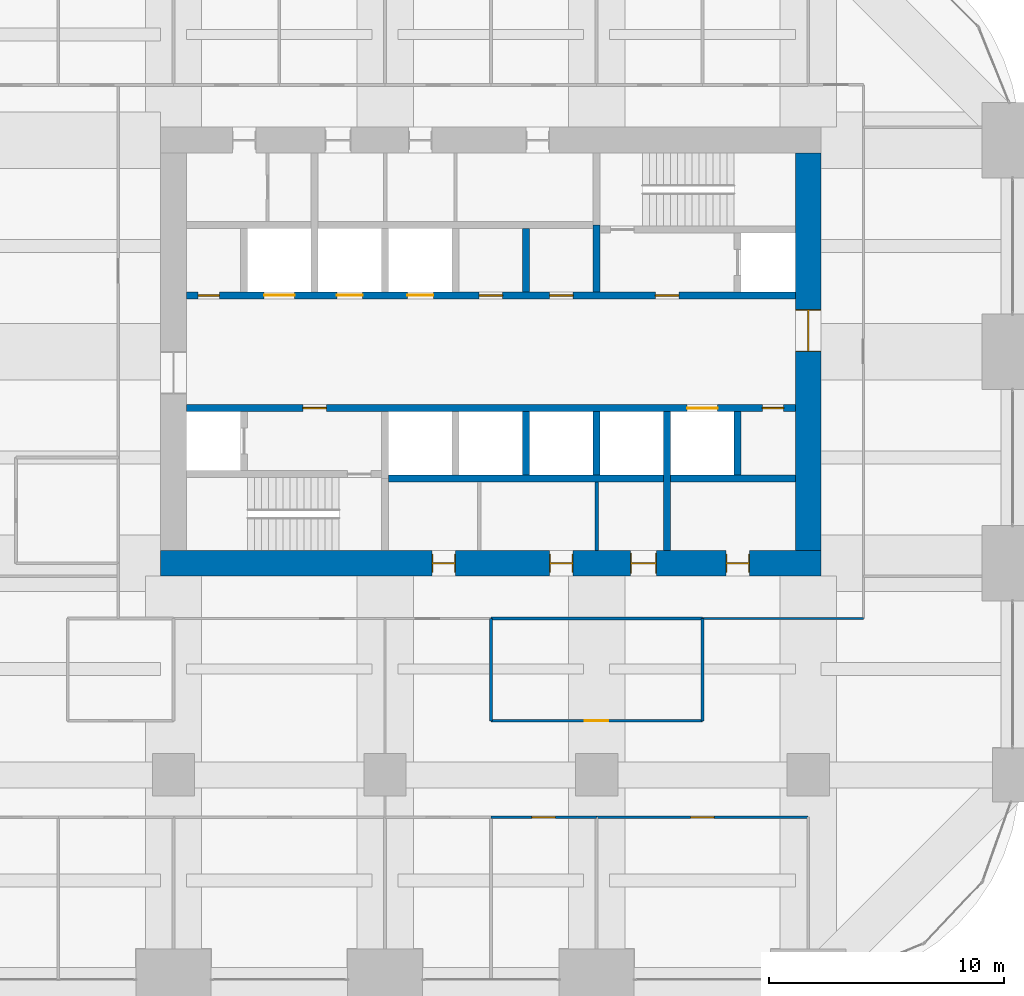
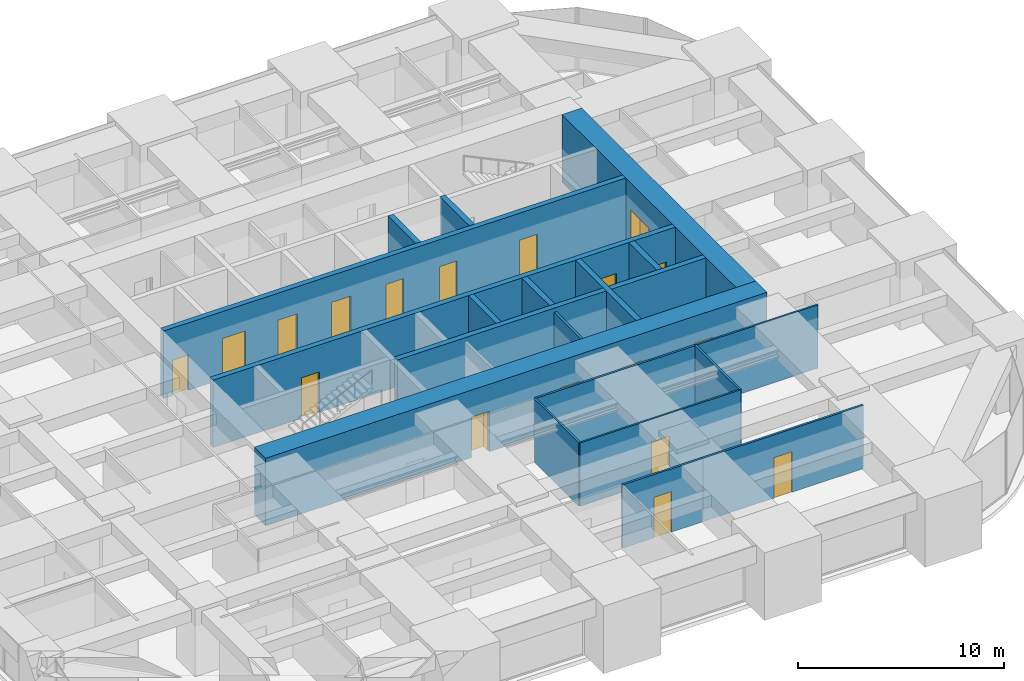
# One storey, part 32 of 36: 19 walls, 18 doors, 18 openings.
"""IFC4 building model written with IfcOpenShell, lengths in metres."""

from ifc_helpers import new_model, si_unit, direction, frame, frame_2d, origin, place, context, subcontext, project, spatial, rectangle, extrude, material, layer, layer_set, type_object, element, fill, save


model = new_model("IFC4")

# Units and contexts
model_context = context("Model", 3, precision=1e-05, world=origin(), true_north=direction((0.0, 1.0)))
body_context = subcontext(model_context, "Body", "Model", "MODEL_VIEW")
ifc_project = project(units=[si_unit("LENGTHUNIT", "METRE"), si_unit("AREAUNIT", "SQUARE_METRE"), si_unit("VOLUMEUNIT", "CUBIC_METRE"), si_unit("PLANEANGLEUNIT", "RADIAN"), si_unit("MASSUNIT", "GRAM", prefix="KILO")], contexts=[model_context])

# Site, building, storey
site_placement = place(None, origin())
site = spatial("IfcSite", under=ifc_project, at=site_placement, CompositionType="ELEMENT")
building_placement = place(site_placement, origin())
building = spatial("IfcBuilding", under=site, at=building_placement, Name="Zorevar Civic Tower", CompositionType="ELEMENT")
storey_placement = place(building_placement, frame((0.0, 0.0, 166.199951171875)))
storey = spatial("IfcBuildingStorey", under=building, at=storey_placement, Name="L40", CompositionType="ELEMENT", Elevation=166.199951171875)

# Wall, openings, doors
ifc_material_1 = material(Name="Concrete C50/60", Category="concrete")
ifc_layer_1 = layer(ifc_material_1, 1.10009765625)
ifc_layer_set_1 = layer_set([ifc_layer_1], Name="Core wall 1100")
wall_type_1 = type_object("IfcWallType", Name="Core wall 1100", PredefinedType="SHEAR", material=ifc_layer_set_1)
wall_1_placement = place(storey_placement, frame((17.449951171875, 18.0, 0.0), z_axis=(0.0, 0.0, 1.0), x_axis=(1.0, 0.0, 0.0)))
wall_1 = element("IfcWall", 1, at=wall_1_placement, inside=storey, type_object=wall_type_1, Name="Core wall S L40", PredefinedType="SHEAR", context=body_context, shape_type="SweptSolid", body=[
    extrude(rectangle(XDim=28.10009765625, YDim=1.10009765625, at=frame_2d((14.050048828125, 0.0))), origin(), (0.0, 0.0, 1.0), 4.0),
])
opening_1_placement = place(wall_1_placement, frame((11.550048828125, 0.0, 0.0)))
opening_1 = element("IfcOpeningElement", 2, at=opening_1_placement, cuts=wall_1, Name="Opening L40.03", PredefinedType="OPENING", context=body_context, shape_type="SweptSolid", body=[
    extrude(rectangle(XDim=1.0, YDim=2.39990234375, at=frame_2d((0.5, 1.199951171875))), frame((0.0, 0.56005859375, 0.0), z_axis=(0.0, -1.0, 0.0), x_axis=(1.0, 0.0, 0.0)), (0.0, 0.0, 1.0), 1.1201171875),
])
opening_2_placement = place(wall_1_placement, frame((16.550048828125, 0.0, 0.0)))
opening_2 = element("IfcOpeningElement", 3, at=opening_2_placement, cuts=wall_1, Name="Opening L40.04", PredefinedType="OPENING", context=body_context, shape_type="SweptSolid", body=[
    extrude(rectangle(XDim=1.0, YDim=2.39990234375, at=frame_2d((0.5, 1.199951171875))), frame((0.0, 0.56005859375, 0.0), z_axis=(0.0, -1.0, 0.0), x_axis=(1.0, 0.0, 0.0)), (0.0, 0.0, 1.0), 1.1201171875),
])
opening_3_placement = place(wall_1_placement, frame((20.0, 0.0, 0.0)))
opening_3 = element("IfcOpeningElement", 4, at=opening_3_placement, cuts=wall_1, Name="Opening L40.05", PredefinedType="OPENING", context=body_context, shape_type="SweptSolid", body=[
    extrude(rectangle(XDim=1.10009765625, YDim=2.39990234375, at=frame_2d((0.550048828125, 1.199951171875))), frame((0.0, 0.56005859375, 0.0), z_axis=(0.0, -1.0, 0.0), x_axis=(1.0, 0.0, 0.0)), (0.0, 0.0, 1.0), 1.1201171875),
])
opening_4_placement = place(wall_1_placement, frame((24.050048828125, 0.0, 0.0)))
opening_4 = element("IfcOpeningElement", 5, at=opening_4_placement, cuts=wall_1, Name="Opening L40.06", PredefinedType="OPENING", context=body_context, shape_type="SweptSolid", body=[
    extrude(rectangle(XDim=1.0, YDim=2.39990234375, at=frame_2d((0.5, 1.199951171875))), frame((0.0, 0.56005859375, 0.0), z_axis=(0.0, -1.0, 0.0), x_axis=(1.0, 0.0, 0.0)), (0.0, 0.0, 1.0), 1.1201171875),
])
ifc_material_2 = material(Name="Timber door set", Category="wood")
door_type_1 = type_object("IfcDoorType", Name="Door D1 1000x2400", OperationType="SINGLE_SWING_LEFT", PredefinedType="DOOR", material=ifc_material_2)
door_1_placement = place(opening_1_placement, origin())
door_1 = element("IfcDoor", 6, at=door_1_placement, inside=storey, type_object=door_type_1, Name="Door L40 02", OperationType="SINGLE_SWING_RIGHT", OverallHeight=2.39990234375, OverallWidth=1.0, PredefinedType="DOOR", context=body_context, shape_type="SweptSolid", body=[
    extrude(rectangle(XDim=1.0, YDim=2.39990234375, at=frame_2d((0.5, 1.199951171875))), frame((0.0, 0.02490234375, 0.0), z_axis=(0.0, -1.0, 0.0), x_axis=(1.0, 0.0, 0.0)), (0.0, 0.0, 1.0), 0.050048828125),
    extrude(rectangle(XDim=0.04, YDim=2.39990234375, at=frame_2d((0.02001953125, 1.199951171875))), frame((0.0, 0.39990234375, 0.0), z_axis=(0.0, -1.0, 0.0), x_axis=(1.0, 0.0, 0.0)), (0.0, 0.0, 1.0), 0.800048828125),
    extrude(rectangle(XDim=0.04, YDim=2.39990234375, at=frame_2d((0.97998046875, 1.199951171875))), frame((0.0, 0.39990234375, 0.0), z_axis=(0.0, -1.0, 0.0), x_axis=(1.0, 0.0, 0.0)), (0.0, 0.0, 1.0), 0.800048828125),
    extrude(rectangle(XDim=1.0, YDim=0.04, at=frame_2d((0.5, 2.3798828125))), frame((0.0, 0.39990234375, 0.0), z_axis=(0.0, -1.0, 0.0), x_axis=(1.0, 0.0, 0.0)), (0.0, 0.0, 1.0), 0.800048828125),
])
fill(opening_1, door_1)
door_2_placement = place(opening_2_placement, origin())
door_2 = element("IfcDoor", 7, at=door_2_placement, inside=storey, type_object=door_type_1, Name="Door L40 03", OperationType="SINGLE_SWING_LEFT", OverallHeight=2.39990234375, OverallWidth=1.0, PredefinedType="DOOR", context=body_context, shape_type="SweptSolid", body=[
    extrude(rectangle(XDim=1.0, YDim=2.39990234375, at=frame_2d((0.5, 1.199951171875))), frame((0.0, 0.02490234375, 0.0), z_axis=(0.0, -1.0, 0.0), x_axis=(1.0, 0.0, 0.0)), (0.0, 0.0, 1.0), 0.050048828125),
    extrude(rectangle(XDim=0.04, YDim=2.39990234375, at=frame_2d((0.02001953125, 1.199951171875))), frame((0.0, 0.39990234375, 0.0), z_axis=(0.0, -1.0, 0.0), x_axis=(1.0, 0.0, 0.0)), (0.0, 0.0, 1.0), 0.800048828125),
    extrude(rectangle(XDim=0.04, YDim=2.39990234375, at=frame_2d((0.97998046875, 1.199951171875))), frame((0.0, 0.39990234375, 0.0), z_axis=(0.0, -1.0, 0.0), x_axis=(1.0, 0.0, 0.0)), (0.0, 0.0, 1.0), 0.800048828125),
    extrude(rectangle(XDim=1.0, YDim=0.04, at=frame_2d((0.5, 2.3798828125))), frame((0.0, 0.39990234375, 0.0), z_axis=(0.0, -1.0, 0.0), x_axis=(1.0, 0.0, 0.0)), (0.0, 0.0, 1.0), 0.800048828125),
])
fill(opening_2, door_2)
door_3_placement = place(opening_4_placement, origin())
door_3 = element("IfcDoor", 8, at=door_3_placement, inside=storey, type_object=door_type_1, Name="Door L40 05", OperationType="SINGLE_SWING_LEFT", OverallHeight=2.39990234375, OverallWidth=1.0, PredefinedType="DOOR", context=body_context, shape_type="SweptSolid", body=[
    extrude(rectangle(XDim=1.0, YDim=2.39990234375, at=frame_2d((0.5, 1.199951171875))), frame((0.0, 0.02490234375, 0.0), z_axis=(0.0, -1.0, 0.0), x_axis=(1.0, 0.0, 0.0)), (0.0, 0.0, 1.0), 0.050048828125),
    extrude(rectangle(XDim=0.04, YDim=2.39990234375, at=frame_2d((0.02001953125, 1.199951171875))), frame((0.0, 0.39990234375, 0.0), z_axis=(0.0, -1.0, 0.0), x_axis=(1.0, 0.0, 0.0)), (0.0, 0.0, 1.0), 0.800048828125),
    extrude(rectangle(XDim=0.04, YDim=2.39990234375, at=frame_2d((0.97998046875, 1.199951171875))), frame((0.0, 0.39990234375, 0.0), z_axis=(0.0, -1.0, 0.0), x_axis=(1.0, 0.0, 0.0)), (0.0, 0.0, 1.0), 0.800048828125),
    extrude(rectangle(XDim=1.0, YDim=0.04, at=frame_2d((0.5, 2.3798828125))), frame((0.0, 0.39990234375, 0.0), z_axis=(0.0, -1.0, 0.0), x_axis=(1.0, 0.0, 0.0)), (0.0, 0.0, 1.0), 0.800048828125),
])
fill(opening_4, door_3)
ifc_material_3 = material(Name="Timber door set", Category="wood")
door_type_2 = type_object("IfcDoorType", Name="Door D5 1100x2400", OperationType="SINGLE_SWING_LEFT", PredefinedType="DOOR", material=ifc_material_3)
door_4_placement = place(opening_3_placement, origin())
door_4 = element("IfcDoor", 9, at=door_4_placement, inside=storey, type_object=door_type_2, Name="Door L40 04", OperationType="SINGLE_SWING_LEFT", OverallHeight=2.39990234375, OverallWidth=1.10009765625, PredefinedType="DOOR", context=body_context, shape_type="SweptSolid", body=[
    extrude(rectangle(XDim=1.10009765625, YDim=2.39990234375, at=frame_2d((0.550048828125, 1.199951171875))), frame((0.0, 0.02490234375, 0.0), z_axis=(0.0, -1.0, 0.0), x_axis=(1.0, 0.0, 0.0)), (0.0, 0.0, 1.0), 0.050048828125),
    extrude(rectangle(XDim=0.04, YDim=2.39990234375, at=frame_2d((0.02001953125, 1.199951171875))), frame((0.0, 0.43994140625, 0.0), z_axis=(0.0, -1.0, 0.0), x_axis=(1.0, 0.0, 0.0)), (0.0, 0.0, 1.0), 0.880126953125),
    extrude(rectangle(XDim=0.04, YDim=2.39990234375, at=frame_2d((1.080078125, 1.199951171875))), frame((0.0, 0.43994140625, 0.0), z_axis=(0.0, -1.0, 0.0), x_axis=(1.0, 0.0, 0.0)), (0.0, 0.0, 1.0), 0.880126953125),
    extrude(rectangle(XDim=1.10009765625, YDim=0.04, at=frame_2d((0.550048828125, 2.3798828125))), frame((0.0, 0.43994140625, 0.0), z_axis=(0.0, -1.0, 0.0), x_axis=(1.0, 0.0, 0.0)), (0.0, 0.0, 1.0), 0.880126953125),
])
fill(opening_3, door_4)

# Wall, opening, door
wall_2_placement = place(storey_placement, frame((45.0, 18.550048828125, 0.0), z_axis=(0.0, 0.0, 1.0), x_axis=(0.0, 1.0, 0.0)))
wall_2 = element("IfcWall", 10, at=wall_2_placement, inside=storey, type_object=wall_type_1, Name="Core wall E L40", PredefinedType="SHEAR", context=body_context, shape_type="SweptSolid", body=[
    extrude(rectangle(XDim=16.89990234375, YDim=1.10009765625, at=frame_2d((8.449951171875, 0.0))), origin(), (0.0, 0.0, 1.0), 4.0),
])
opening_5_placement = place(wall_2_placement, frame((8.449951171875, 0.0, 0.0)))
opening_5 = element("IfcOpeningElement", 11, at=opening_5_placement, cuts=wall_2, Name="Opening L40.02", PredefinedType="OPENING", context=body_context, shape_type="SweptSolid", body=[
    extrude(rectangle(XDim=1.800048828125, YDim=2.39990234375, at=frame_2d((0.89990234375, 1.199951171875))), frame((0.0, 0.56005859375, 0.0), z_axis=(0.0, -1.0, 0.0), x_axis=(1.0, 0.0, 0.0)), (0.0, 0.0, 1.0), 1.1201171875),
])
ifc_material_4 = material(Name="Steel door set", Category="steel")
door_type_3 = type_object("IfcDoorType", Name="Fire door FD2 1800x2400", OperationType="DOUBLE_DOOR_DOUBLE_SWING", PredefinedType="DOOR", material=ifc_material_4)
door_5_placement = place(opening_5_placement, origin())
door_5 = element("IfcDoor", 12, at=door_5_placement, inside=storey, type_object=door_type_3, Name="Door L40 01", OperationType="DOUBLE_DOOR_DOUBLE_SWING", OverallHeight=2.39990234375, OverallWidth=1.800048828125, PredefinedType="DOOR", context=body_context, shape_type="SweptSolid", body=[
    extrude(rectangle(XDim=1.800048828125, YDim=2.39990234375, at=frame_2d((0.89990234375, 1.199951171875))), frame((0.0, 0.030029296875, 0.0), z_axis=(0.0, -1.0, 0.0), x_axis=(1.0, 0.0, 0.0)), (0.0, 0.0, 1.0), 0.06005859375),
    extrude(rectangle(XDim=0.04, YDim=2.39990234375, at=frame_2d((0.02001953125, 1.199951171875))), frame((0.0, 0.5498046875, 0.0), z_axis=(0.0, -1.0, 0.0), x_axis=(1.0, 0.0, 0.0)), (0.0, 0.0, 1.0), 1.099609375),
    extrude(rectangle(XDim=0.04, YDim=2.39990234375, at=frame_2d((1.780029296875, 1.199951171875))), frame((0.0, 0.5498046875, 0.0), z_axis=(0.0, -1.0, 0.0), x_axis=(1.0, 0.0, 0.0)), (0.0, 0.0, 1.0), 1.099609375),
    extrude(rectangle(XDim=1.800048828125, YDim=0.04, at=frame_2d((0.89990234375, 2.3798828125))), frame((0.0, 0.5498046875, 0.0), z_axis=(0.0, -1.0, 0.0), x_axis=(1.0, 0.0, 0.0)), (0.0, 0.0, 1.0), 1.099609375),
])
fill(opening_5, door_5)

ifc_material_5 = material(Name="Laminated glass in black aluminium frame", Category="aluminium")
ifc_layer_2 = layer(ifc_material_5, 0.10009765625)
ifc_layer_set_2 = layer_set([ifc_layer_2], Name="Glazed partition 100")
wall_type_2 = type_object("IfcWallType", Name="Glazed partition 100", PredefinedType="PARTITIONING", material=ifc_layer_set_2)
wall_3_placement = place(storey_placement, frame((31.5, 11.300048828125, 0.0), z_axis=(0.0, 0.0, 1.0), x_axis=(1.0, 0.0, 0.0)))
wall_3 = element("IfcWall", 13, at=wall_3_placement, inside=storey, type_object=wall_type_2, Name="Glazed partition 100 L40", PredefinedType="PARTITIONING", context=body_context, shape_type="SweptSolid", body=[
    extrude(rectangle(XDim=9.0, YDim=0.10009765625, at=frame_2d((4.5, 0.0))), origin(), (0.0, 0.0, 1.0), 3.75),
])
opening_6_placement = place(wall_3_placement, frame((4.0, 0.0, 0.0)))
opening_6 = element("IfcOpeningElement", 14, at=opening_6_placement, cuts=wall_3, Name="Opening L40.24", PredefinedType="OPENING", context=body_context, shape_type="SweptSolid", body=[
    extrude(rectangle(XDim=1.0, YDim=2.39990234375, at=frame_2d((0.5, 1.199951171875))), frame((0.0, 0.06005859375, 0.0), z_axis=(0.0, -1.0, 0.0), x_axis=(1.0, 0.0, 0.0)), (0.0, 0.0, 1.0), 0.1201171875),
])
ifc_material_6 = material(Name="Timber door set", Category="wood")
door_type_4 = type_object("IfcDoorType", Name="Glazed door GD1 1000x2400", OperationType="SINGLE_SWING_LEFT", PredefinedType="DOOR", material=ifc_material_6)
door_6_placement = place(opening_6_placement, origin())
door_6 = element("IfcDoor", 15, at=door_6_placement, inside=storey, type_object=door_type_4, Name="Door L40 D1", OperationType="SINGLE_SWING_LEFT", OverallHeight=2.39990234375, OverallWidth=1.0, PredefinedType="DOOR", context=body_context, shape_type="SweptSolid", body=[
    extrude(rectangle(XDim=1.0, YDim=2.39990234375, at=frame_2d((0.5, 1.199951171875))), frame((0.0, 0.02001953125, 0.0), z_axis=(0.0, -1.0, 0.0), x_axis=(1.0, 0.0, 0.0)), (0.0, 0.0, 1.0), 0.0400390625),
])
fill(opening_6, door_6)

# Wall
wall_4_placement = place(storey_placement, frame((40.5, 15.64990234375, 0.0), z_axis=(0.0, 0.0, 1.0), x_axis=(1.0, 0.0, 0.0)))
element("IfcWall", 16, at=wall_4_placement, inside=storey, type_object=wall_type_2, Name="Glazed partition 100 L40", PredefinedType="PARTITIONING", context=body_context, shape_type="SweptSolid", body=[
    extrude(rectangle(XDim=6.85009765625, YDim=0.10009765625, at=frame_2d((3.425048828125, 0.0))), origin(), (0.0, 0.0, 1.0), 3.75),
])

# Wall, openings, doors
ifc_material_7 = material(Name="Concrete C40/50", Category="concrete")
ifc_layer_3 = layer(ifc_material_7, 0.300048828125)
ifc_layer_set_3 = layer_set([ifc_layer_3], Name="Inner core wall 300")
wall_type_3 = type_object("IfcWallType", Name="Inner core wall 300", PredefinedType="SHEAR", material=ifc_layer_set_3)
wall_5_placement = place(storey_placement, frame((18.550048828125, 24.60009765625, 0.0), z_axis=(0.0, 0.0, 1.0), x_axis=(1.0, 0.0, 0.0)))
wall_5 = element("IfcWall", 17, at=wall_5_placement, inside=storey, type_object=wall_type_3, Name="Inner core wall S03 L40", PredefinedType="SHEAR", context=body_context, shape_type="SweptSolid", body=[
    extrude(rectangle(XDim=25.89990234375, YDim=0.300048828125, at=frame_2d((12.949951171875, 0.0))), origin(), (0.0, 0.0, 1.0), 4.0),
])
opening_7_placement = place(wall_5_placement, frame((4.949951171875, 0.0, 0.0)))
opening_7 = element("IfcOpeningElement", 18, at=opening_7_placement, cuts=wall_5, Name="Opening L40.13", PredefinedType="OPENING", context=body_context, shape_type="SweptSolid", body=[
    extrude(rectangle(XDim=1.0, YDim=2.39990234375, at=frame_2d((0.5, 1.199951171875))), frame((0.0, 0.159912109375, 0.0), z_axis=(0.0, -1.0, 0.0), x_axis=(1.0, 0.0, 0.0)), (0.0, 0.0, 1.0), 0.320068359375),
])
opening_8_placement = place(wall_5_placement, frame((24.5, 0.0, 0.0)))
opening_8 = element("IfcOpeningElement", 19, at=opening_8_placement, cuts=wall_5, Name="Opening L40.15", PredefinedType="OPENING", context=body_context, shape_type="SweptSolid", body=[
    extrude(rectangle(XDim=0.89990234375, YDim=2.10009765625, at=frame_2d((0.449951171875, 1.050048828125))), frame((0.0, 0.159912109375, 0.0), z_axis=(0.0, -1.0, 0.0), x_axis=(1.0, 0.0, 0.0)), (0.0, 0.0, 1.0), 0.320068359375),
])
opening_9_placement = place(wall_5_placement, frame((21.300048828125, 0.0, 0.0)))
opening_9 = element("IfcOpeningElement", 20, at=opening_9_placement, cuts=wall_5, Name="Opening L40.SL1", PredefinedType="OPENING", context=body_context, shape_type="SweptSolid", body=[
    extrude(rectangle(XDim=1.300048828125, YDim=2.39990234375, at=frame_2d((0.64990234375, 1.199951171875))), frame((0.0, 0.159912109375, 0.0), z_axis=(0.0, -1.0, 0.0), x_axis=(1.0, 0.0, 0.0)), (0.0, 0.0, 1.0), 0.320068359375),
])
ifc_material_8 = material(Name="Steel door set", Category="steel")
door_type_5 = type_object("IfcDoorType", Name="Fire door FD1 1000x2400", OperationType="SINGLE_SWING_LEFT", PredefinedType="DOOR", material=ifc_material_8)
door_7_placement = place(opening_7_placement, origin())
door_7 = element("IfcDoor", 21, at=door_7_placement, inside=storey, type_object=door_type_5, Name="Door L40 12", OperationType="SINGLE_SWING_RIGHT", OverallHeight=2.39990234375, OverallWidth=1.0, PredefinedType="DOOR", context=body_context, shape_type="SweptSolid", body=[
    extrude(rectangle(XDim=1.0, YDim=2.39990234375, at=frame_2d((0.5, 1.199951171875))), frame((0.0, 0.030029296875, 0.0), z_axis=(0.0, -1.0, 0.0), x_axis=(1.0, 0.0, 0.0)), (0.0, 0.0, 1.0), 0.06005859375),
])
fill(opening_7, door_7)
ifc_material_9 = material(Name="Steel door set", Category="steel")
door_type_6 = type_object("IfcDoorType", Name="Landing door LD2 1300x2400", OperationType="DOUBLE_DOOR_SLIDING", PredefinedType="DOOR", material=ifc_material_9)
door_8_placement = place(opening_9_placement, origin())
door_8 = element("IfcDoor", 22, at=door_8_placement, inside=storey, type_object=door_type_6, Name="Landing door SL1 L40", OperationType="DOUBLE_DOOR_SLIDING", OverallHeight=2.39990234375, OverallWidth=1.300048828125, PredefinedType="DOOR", context=body_context, shape_type="SweptSolid", body=[
    extrude(rectangle(XDim=1.300048828125, YDim=2.39990234375, at=frame_2d((0.64990234375, 1.199951171875))), frame((0.0, 0.02001953125, 0.0), z_axis=(0.0, -1.0, 0.0), x_axis=(1.0, 0.0, 0.0)), (0.0, 0.0, 1.0), 0.0400390625),
])
fill(opening_9, door_8)
ifc_material_10 = material(Name="Steel door set", Category="steel")
door_type_7 = type_object("IfcDoorType", Name="Riser door RD1 900x2100", OperationType="SINGLE_SWING_LEFT", PredefinedType="DOOR", material=ifc_material_10)
door_9_placement = place(opening_8_placement, origin())
door_9 = element("IfcDoor", 23, at=door_9_placement, inside=storey, type_object=door_type_7, Name="Door L40 14", OperationType="SINGLE_SWING_RIGHT", OverallHeight=2.10009765625, OverallWidth=0.89990234375, PredefinedType="DOOR", context=body_context, shape_type="SweptSolid", body=[
    extrude(rectangle(XDim=0.89990234375, YDim=2.10009765625, at=frame_2d((0.449951171875, 1.050048828125))), frame((0.0, 0.030029296875, 0.0), z_axis=(0.0, -1.0, 0.0), x_axis=(1.0, 0.0, 0.0)), (0.0, 0.0, 1.0), 0.06005859375),
])
fill(opening_8, door_9)

wall_6_placement = place(storey_placement, frame((18.550048828125, 29.39990234375, 0.0), z_axis=(0.0, 0.0, 1.0), x_axis=(1.0, 0.0, 0.0)))
wall_6 = element("IfcWall", 24, at=wall_6_placement, inside=storey, type_object=wall_type_3, Name="Inner core wall N03 L40", PredefinedType="SHEAR", context=body_context, shape_type="SweptSolid", body=[
    extrude(rectangle(XDim=25.89990234375, YDim=0.300048828125, at=frame_2d((12.949951171875, 0.0))), origin(), (0.0, 0.0, 1.0), 4.0),
])
opening_10_placement = place(wall_6_placement, frame((19.949951171875, 0.0, 0.0)))
opening_10 = element("IfcOpeningElement", 25, at=opening_10_placement, cuts=wall_6, Name="Opening L40.14", PredefinedType="OPENING", context=body_context, shape_type="SweptSolid", body=[
    extrude(rectangle(XDim=1.0, YDim=2.39990234375, at=frame_2d((0.5, 1.199951171875))), frame((0.0, 0.159912109375, 0.0), z_axis=(0.0, -1.0, 0.0), x_axis=(1.0, 0.0, 0.0)), (0.0, 0.0, 1.0), 0.320068359375),
])
opening_11_placement = place(wall_6_placement, frame((0.5, 0.0, 0.0)))
opening_11 = element("IfcOpeningElement", 26, at=opening_11_placement, cuts=wall_6, Name="Opening L40.16", PredefinedType="OPENING", context=body_context, shape_type="SweptSolid", body=[
    extrude(rectangle(XDim=0.89990234375, YDim=2.10009765625, at=frame_2d((0.449951171875, 1.050048828125))), frame((0.0, 0.159912109375, 0.0), z_axis=(0.0, -1.0, 0.0), x_axis=(1.0, 0.0, 0.0)), (0.0, 0.0, 1.0), 0.320068359375),
])
opening_12_placement = place(wall_6_placement, frame((15.449951171875, 0.0, 0.0)))
opening_12 = element("IfcOpeningElement", 27, at=opening_12_placement, cuts=wall_6, Name="Opening L40.46", PredefinedType="OPENING", context=body_context, shape_type="SweptSolid", body=[
    extrude(rectangle(XDim=1.0, YDim=2.39990234375, at=frame_2d((0.5, 1.199951171875))), frame((0.0, 0.159912109375, 0.0), z_axis=(0.0, -1.0, 0.0), x_axis=(1.0, 0.0, 0.0)), (0.0, 0.0, 1.0), 0.320068359375),
])
opening_13_placement = place(wall_6_placement, frame((12.449951171875, 0.0, 0.0)))
opening_13 = element("IfcOpeningElement", 28, at=opening_13_placement, cuts=wall_6, Name="Opening L40.47", PredefinedType="OPENING", context=body_context, shape_type="SweptSolid", body=[
    extrude(rectangle(XDim=1.0, YDim=2.39990234375, at=frame_2d((0.5, 1.199951171875))), frame((0.0, 0.159912109375, 0.0), z_axis=(0.0, -1.0, 0.0), x_axis=(1.0, 0.0, 0.0)), (0.0, 0.0, 1.0), 0.320068359375),
])
opening_14_placement = place(wall_6_placement, frame((9.39990234375, 0.0, 0.0)))
opening_14 = element("IfcOpeningElement", 29, at=opening_14_placement, cuts=wall_6, Name="Opening L40.LH1", PredefinedType="OPENING", context=body_context, shape_type="SweptSolid", body=[
    extrude(rectangle(XDim=1.10009765625, YDim=2.39990234375, at=frame_2d((0.550048828125, 1.199951171875))), frame((0.0, 0.159912109375, 0.0), z_axis=(0.0, -1.0, 0.0), x_axis=(1.0, 0.0, 0.0)), (0.0, 0.0, 1.0), 0.320068359375),
])
opening_15_placement = place(wall_6_placement, frame((6.39990234375, 0.0, 0.0)))
opening_15 = element("IfcOpeningElement", 30, at=opening_15_placement, cuts=wall_6, Name="Opening L40.LH2", PredefinedType="OPENING", context=body_context, shape_type="SweptSolid", body=[
    extrude(rectangle(XDim=1.10009765625, YDim=2.39990234375, at=frame_2d((0.550048828125, 1.199951171875))), frame((0.0, 0.159912109375, 0.0), z_axis=(0.0, -1.0, 0.0), x_axis=(1.0, 0.0, 0.0)), (0.0, 0.0, 1.0), 0.320068359375),
])
opening_16_placement = place(wall_6_placement, frame((3.300048828125, 0.0, 0.0)))
opening_16 = element("IfcOpeningElement", 31, at=opening_16_placement, cuts=wall_6, Name="Opening L40.SL2", PredefinedType="OPENING", context=body_context, shape_type="SweptSolid", body=[
    extrude(rectangle(XDim=1.300048828125, YDim=2.39990234375, at=frame_2d((0.64990234375, 1.199951171875))), frame((0.0, 0.159912109375, 0.0), z_axis=(0.0, -1.0, 0.0), x_axis=(1.0, 0.0, 0.0)), (0.0, 0.0, 1.0), 0.320068359375),
])
door_10_placement = place(opening_10_placement, origin())
door_10 = element("IfcDoor", 32, at=door_10_placement, inside=storey, type_object=door_type_5, Name="Door L40 13", OperationType="SINGLE_SWING_RIGHT", OverallHeight=2.39990234375, OverallWidth=1.0, PredefinedType="DOOR", context=body_context, shape_type="SweptSolid", body=[
    extrude(rectangle(XDim=1.0, YDim=2.39990234375, at=frame_2d((0.5, 1.199951171875))), frame((0.0, 0.030029296875, 0.0), z_axis=(0.0, -1.0, 0.0), x_axis=(1.0, 0.0, 0.0)), (0.0, 0.0, 1.0), 0.06005859375),
])
fill(opening_10, door_10)
door_11_placement = place(opening_12_placement, origin())
door_11 = element("IfcDoor", 33, at=door_11_placement, inside=storey, type_object=door_type_5, Name="Door L40 LM1 shaft room", OperationType="SINGLE_SWING_LEFT", OverallHeight=2.39990234375, OverallWidth=1.0, PredefinedType="DOOR", context=body_context, shape_type="SweptSolid", body=[
    extrude(rectangle(XDim=1.0, YDim=2.39990234375, at=frame_2d((0.5, 1.199951171875))), frame((0.0, 0.030029296875, 0.0), z_axis=(0.0, -1.0, 0.0), x_axis=(1.0, 0.0, 0.0)), (0.0, 0.0, 1.0), 0.06005859375),
])
fill(opening_12, door_11)
door_12_placement = place(opening_13_placement, origin())
door_12 = element("IfcDoor", 34, at=door_12_placement, inside=storey, type_object=door_type_5, Name="Door L40 LM2 shaft room", OperationType="SINGLE_SWING_LEFT", OverallHeight=2.39990234375, OverallWidth=1.0, PredefinedType="DOOR", context=body_context, shape_type="SweptSolid", body=[
    extrude(rectangle(XDim=1.0, YDim=2.39990234375, at=frame_2d((0.5, 1.199951171875))), frame((0.0, 0.030029296875, 0.0), z_axis=(0.0, -1.0, 0.0), x_axis=(1.0, 0.0, 0.0)), (0.0, 0.0, 1.0), 0.06005859375),
])
fill(opening_13, door_12)
ifc_material_11 = material(Name="Steel door set", Category="steel")
door_type_8 = type_object("IfcDoorType", Name="Landing door LD1 1100x2400", OperationType="DOUBLE_DOOR_SLIDING", PredefinedType="DOOR", material=ifc_material_11)
door_13_placement = place(opening_14_placement, origin())
door_13 = element("IfcDoor", 35, at=door_13_placement, inside=storey, type_object=door_type_8, Name="Landing door LH1 L40", OperationType="DOUBLE_DOOR_SLIDING", OverallHeight=2.39990234375, OverallWidth=1.10009765625, PredefinedType="DOOR", context=body_context, shape_type="SweptSolid", body=[
    extrude(rectangle(XDim=1.10009765625, YDim=2.39990234375, at=frame_2d((0.550048828125, 1.199951171875))), frame((0.0, 0.02001953125, 0.0), z_axis=(0.0, -1.0, 0.0), x_axis=(1.0, 0.0, 0.0)), (0.0, 0.0, 1.0), 0.0400390625),
])
fill(opening_14, door_13)
door_14_placement = place(opening_15_placement, origin())
door_14 = element("IfcDoor", 36, at=door_14_placement, inside=storey, type_object=door_type_8, Name="Landing door LH2 L40", OperationType="DOUBLE_DOOR_SLIDING", OverallHeight=2.39990234375, OverallWidth=1.10009765625, PredefinedType="DOOR", context=body_context, shape_type="SweptSolid", body=[
    extrude(rectangle(XDim=1.10009765625, YDim=2.39990234375, at=frame_2d((0.550048828125, 1.199951171875))), frame((0.0, 0.02001953125, 0.0), z_axis=(0.0, -1.0, 0.0), x_axis=(1.0, 0.0, 0.0)), (0.0, 0.0, 1.0), 0.0400390625),
])
fill(opening_15, door_14)
door_15_placement = place(opening_16_placement, origin())
door_15 = element("IfcDoor", 37, at=door_15_placement, inside=storey, type_object=door_type_6, Name="Landing door SL2 L40", OperationType="DOUBLE_DOOR_SLIDING", OverallHeight=2.39990234375, OverallWidth=1.300048828125, PredefinedType="DOOR", context=body_context, shape_type="SweptSolid", body=[
    extrude(rectangle(XDim=1.300048828125, YDim=2.39990234375, at=frame_2d((0.64990234375, 1.199951171875))), frame((0.0, 0.02001953125, 0.0), z_axis=(0.0, -1.0, 0.0), x_axis=(1.0, 0.0, 0.0)), (0.0, 0.0, 1.0), 0.0400390625),
])
fill(opening_16, door_15)
door_16_placement = place(opening_11_placement, origin())
door_16 = element("IfcDoor", 38, at=door_16_placement, inside=storey, type_object=door_type_7, Name="Door L40 15", OperationType="SINGLE_SWING_RIGHT", OverallHeight=2.10009765625, OverallWidth=0.89990234375, PredefinedType="DOOR", context=body_context, shape_type="SweptSolid", body=[
    extrude(rectangle(XDim=0.89990234375, YDim=2.10009765625, at=frame_2d((0.449951171875, 1.050048828125))), frame((0.0, 0.030029296875, 0.0), z_axis=(0.0, -1.0, 0.0), x_axis=(1.0, 0.0, 0.0)), (0.0, 0.0, 1.0), 0.06005859375),
])
fill(opening_11, door_16)

# Walls
wall_7_placement = place(storey_placement, frame((27.14990234375, 21.60009765625, 0.0), z_axis=(0.0, 0.0, 1.0), x_axis=(1.0, 0.0, 0.0)))
element("IfcWall", 39, at=wall_7_placement, inside=storey, type_object=wall_type_3, Name="Inner core wall S04 L40", PredefinedType="SHEAR", context=body_context, shape_type="SweptSolid", body=[
    extrude(rectangle(XDim=17.300048828125, YDim=0.300048828125, at=frame_2d((8.64990234375, 0.0))), origin(), (0.0, 0.0, 1.0), 4.0),
])
for number, where, z_axis, x_axis, name in (
    (40, (33.0, 29.550048828125, 0.0), (0.0, 0.0, 1.0), (0.0, 1.0, 0.0), "Inner core wall N05 L40"),
    (41, (33.0, 21.75, 0.0), (0.0, 0.0, 1.0), (0.0, 1.0, 0.0), "Inner core wall S06 L40"),
    (42, (36.0, 21.75, 0.0), (0.0, 0.0, 1.0), (0.0, 1.0, 0.0), "Inner core wall S07 L40"),
):
    element("IfcWall", number, at=place(storey_placement, frame(where, z_axis=z_axis, x_axis=x_axis)), inside=storey, type_object=wall_type_3, Name=name, PredefinedType="SHEAR", context=body_context, shape_type="SweptSolid", body=[
        extrude(rectangle(XDim=2.699951171875, YDim=0.300048828125, at=frame_2d((1.35009765625, 0.0))), origin(), (0.0, 0.0, 1.0), 4.0),
    ])
wall_8_placement = place(storey_placement, frame((39.0, 18.550048828125, 0.0), z_axis=(0.0, 0.0, 1.0), x_axis=(0.0, 1.0, 0.0)))
element("IfcWall", 43, at=wall_8_placement, inside=storey, type_object=wall_type_3, Name="Inner core wall S08 L40", PredefinedType="SHEAR", context=body_context, shape_type="SweptSolid", body=[
    extrude(rectangle(XDim=5.89990234375, YDim=0.300048828125, at=frame_2d((2.949951171875, 0.0))), origin(), (0.0, 0.0, 1.0), 4.0),
])
wall_9_placement = place(storey_placement, frame((42.0, 21.75, 0.0), z_axis=(0.0, 0.0, 1.0), x_axis=(0.0, 1.0, 0.0)))
element("IfcWall", 44, at=wall_9_placement, inside=storey, type_object=wall_type_3, Name="Inner core wall S09 L40", PredefinedType="SHEAR", context=body_context, shape_type="SweptSolid", body=[
    extrude(rectangle(XDim=2.699951171875, YDim=0.300048828125, at=frame_2d((1.35009765625, 0.0))), origin(), (0.0, 0.0, 1.0), 4.0),
])
wall_10_placement = place(storey_placement, frame((36.0, 29.550048828125, 0.0), z_axis=(0.0, 0.0, 1.0), x_axis=(0.0, 1.0, 0.0)))
element("IfcWall", 45, at=wall_10_placement, inside=storey, type_object=wall_type_3, Name="Inner core wall N10 L40", PredefinedType="SHEAR", context=body_context, shape_type="SweptSolid", body=[
    extrude(rectangle(XDim=2.849853515625, YDim=0.300048828125, at=frame_2d((1.4248046875, 0.0))), origin(), (0.0, 0.0, 1.0), 4.0),
])

# Wall, opening, door
ifc_material_12 = material(Name="Gypsum board on steel studs", Category="steel")
ifc_layer_4 = layer(ifc_material_12, 0.1201171875)
ifc_layer_set_4 = layer_set([ifc_layer_4], Name="Partition 120")
wall_type_4 = type_object("IfcWallType", Name="Partition 120", PredefinedType="PARTITIONING", material=ifc_layer_set_4)
wall_11_placement = place(storey_placement, frame((31.5, 7.199951171875, 0.0), z_axis=(0.0, 0.0, 1.0), x_axis=(1.0, 0.0, 0.0)))
wall_11 = element("IfcWall", 46, at=wall_11_placement, inside=storey, type_object=wall_type_4, Name="Partition 120 L40", PredefinedType="PARTITIONING", context=body_context, shape_type="SweptSolid", body=[
    extrude(rectangle(XDim=4.5, YDim=0.1201171875, at=frame_2d((2.25, 0.0))), origin(), (0.0, 0.0, 1.0), 3.75),
])
opening_17_placement = place(wall_11_placement, frame((1.75, 0.0, 0.0)))
opening_17 = element("IfcOpeningElement", 47, at=opening_17_placement, cuts=wall_11, Name="Opening L40.21", PredefinedType="OPENING", context=body_context, shape_type="SweptSolid", body=[
    extrude(rectangle(XDim=1.0, YDim=2.39990234375, at=frame_2d((0.5, 1.199951171875))), frame((0.0, 0.070068359375, 0.0), z_axis=(0.0, -1.0, 0.0), x_axis=(1.0, 0.0, 0.0)), (0.0, 0.0, 1.0), 0.14013671875),
])
door_17_placement = place(opening_17_placement, origin())
door_17 = element("IfcDoor", 48, at=door_17_placement, inside=storey, type_object=door_type_1, Name="Door L40 D1", OperationType="SINGLE_SWING_RIGHT", OverallHeight=2.39990234375, OverallWidth=1.0, PredefinedType="DOOR", context=body_context, shape_type="SweptSolid", body=[
    extrude(rectangle(XDim=1.0, YDim=2.39990234375, at=frame_2d((0.5, 1.199951171875))), frame((0.0, 0.02490234375, 0.0), z_axis=(0.0, -1.0, 0.0), x_axis=(1.0, 0.0, 0.0)), (0.0, 0.0, 1.0), 0.050048828125),
])
fill(opening_17, door_17)

wall_12_placement = place(storey_placement, frame((36.0, 7.199951171875, 0.0), z_axis=(0.0, 0.0, 1.0), x_axis=(1.0, 0.0, 0.0)))
wall_12 = element("IfcWall", 49, at=wall_12_placement, inside=storey, type_object=wall_type_4, Name="Partition 120 L40", PredefinedType="PARTITIONING", context=body_context, shape_type="SweptSolid", body=[
    extrude(rectangle(XDim=9.0, YDim=0.1201171875, at=frame_2d((4.5, 0.0))), origin(), (0.0, 0.0, 1.0), 3.75),
])
opening_18_placement = place(wall_12_placement, frame((4.0, 0.0, 0.0)))
opening_18 = element("IfcOpeningElement", 50, at=opening_18_placement, cuts=wall_12, Name="Opening L40.22", PredefinedType="OPENING", context=body_context, shape_type="SweptSolid", body=[
    extrude(rectangle(XDim=1.0, YDim=2.39990234375, at=frame_2d((0.5, 1.199951171875))), frame((0.0, 0.070068359375, 0.0), z_axis=(0.0, -1.0, 0.0), x_axis=(1.0, 0.0, 0.0)), (0.0, 0.0, 1.0), 0.14013671875),
])
door_18_placement = place(opening_18_placement, origin())
door_18 = element("IfcDoor", 51, at=door_18_placement, inside=storey, type_object=door_type_1, Name="Door L40 D1", OperationType="SINGLE_SWING_LEFT", OverallHeight=2.39990234375, OverallWidth=1.0, PredefinedType="DOOR", context=body_context, shape_type="SweptSolid", body=[
    extrude(rectangle(XDim=1.0, YDim=2.39990234375, at=frame_2d((0.5, 1.199951171875))), frame((0.0, 0.02490234375, 0.0), z_axis=(0.0, -1.0, 0.0), x_axis=(1.0, 0.0, 0.0)), (0.0, 0.0, 1.0), 0.050048828125),
])
fill(opening_18, door_18)

# Walls
wall_13_placement = place(storey_placement, frame((31.5, 15.64990234375, 0.0), z_axis=(0.0, 0.0, 1.0), x_axis=(1.0, 0.0, 0.0)))
element("IfcWall", 52, at=wall_13_placement, inside=storey, type_object=wall_type_4, Name="Partition 120 L40", PredefinedType="PARTITIONING", context=body_context, shape_type="SweptSolid", body=[
    extrude(rectangle(XDim=9.0, YDim=0.1201171875, at=frame_2d((4.5, 0.0))), origin(), (0.0, 0.0, 1.0), 3.75),
])
for number, where, z_axis, x_axis, name in (
    (53, (31.5, 11.300048828125, 0.0), (0.0, 0.0, 1.0), (0.0, 1.0, 0.0), "Partition 120 L40"),
    (54, (40.5, 11.300048828125, 0.0), (0.0, 0.0, 1.0), (0.0, 1.0, 0.0), "Partition 120 L40"),
):
    element("IfcWall", number, at=place(storey_placement, frame(where, z_axis=z_axis, x_axis=x_axis)), inside=storey, type_object=wall_type_4, Name=name, PredefinedType="PARTITIONING", context=body_context, shape_type="SweptSolid", body=[
        extrude(rectangle(XDim=4.349853515625, YDim=0.1201171875, at=frame_2d((2.1748046875, 0.0))), origin(), (0.0, 0.0, 1.0), 3.75),
    ])
ifc_material_13 = material(Name="Gypsum board on steel studs, moisture resistant", Category="steel")
ifc_layer_5 = layer(ifc_material_13, 0.14990234375)
ifc_layer_set_5 = layer_set([ifc_layer_5], Name="WC partition 150")
wall_type_5 = type_object("IfcWallType", Name="WC partition 150", PredefinedType="PARTITIONING", material=ifc_layer_set_5)
wall_14_placement = place(storey_placement, frame((36.0, 18.550048828125, 0.0), z_axis=(0.0, 0.0, 1.0), x_axis=(0.0, 1.0, 0.0)))
element("IfcWall", 55, at=wall_14_placement, inside=storey, type_object=wall_type_5, Name="WC partition L40", PredefinedType="PARTITIONING", context=body_context, shape_type="SweptSolid", body=[
    extrude(rectangle(XDim=2.89990234375, YDim=0.14990234375, at=frame_2d((1.449951171875, 0.0))), origin(), (0.0, 0.0, 1.0), 3.75),
])

save(model, "model.ifc")
